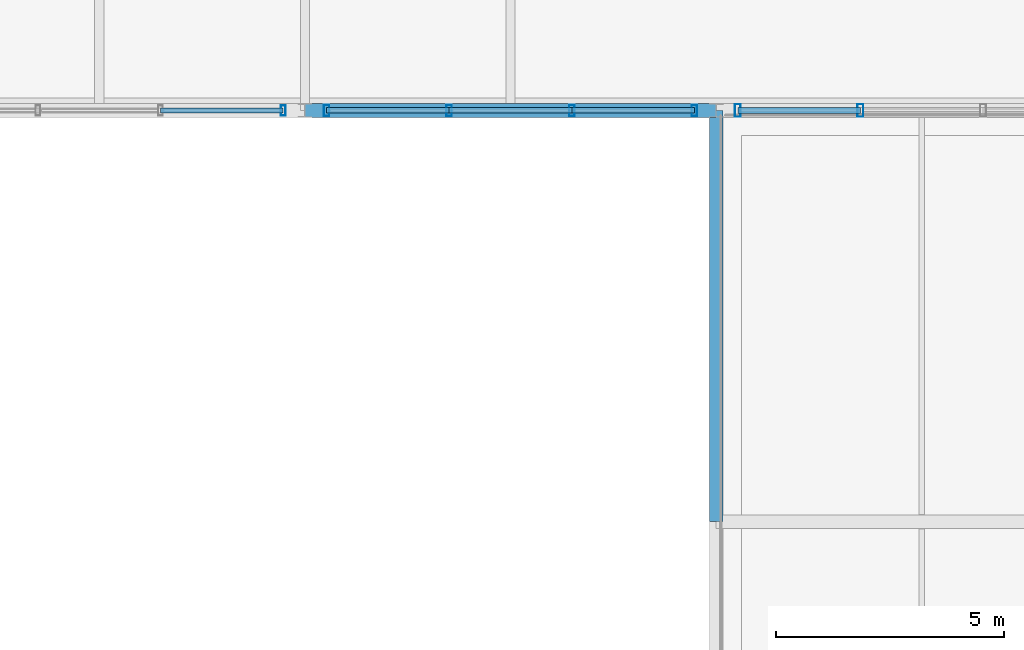
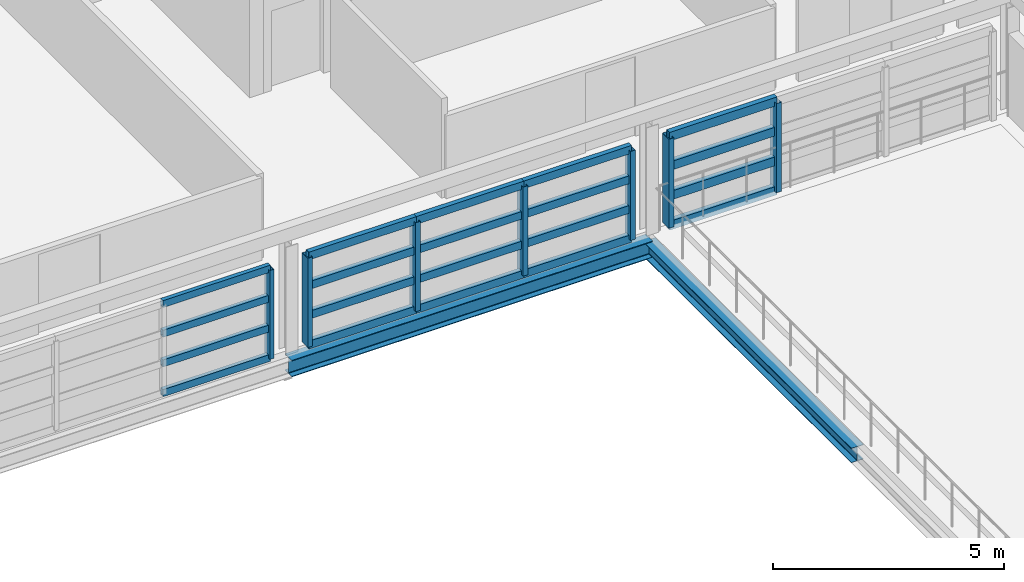
# One storey, part 7 of 27: 27 members, 2 beams, 3 elements without a shape of their own.
"""IFC4 building model written with IfcOpenShell, lengths in metres."""

import ifcopenshell
import ifcopenshell.guid

model = None  # the IFC model being written
_history = None  # IfcOwnerHistory: only IFC2X3 demands one
_inside = {}  # id of a spatial element -> (the spatial element, [elements in it])
_under = {}  # id of a project, library or spatial element -> (it, [spatial elements below it])
_declared = {}  # id of a project -> (the project, [libraries it declares])
_typed = {}  # id of a type object -> (the type object, [elements of that type])
_made_of = {}  # id of a material, layer set ... -> (it, [elements and type objects made of it])


def new_model(schema):
    """Start an empty IFC model of exactly this schema.

    Asked for "IFC4X3", IfcOpenShell would pick the latest addendum, in which some entities
    have other attributes; the version numbers below select the first issue.
    IFC2X3 requires an IfcOwnerHistory on every rooted entity: one is made here for all.
    """
    global model, _history
    if schema == "IFC4X3":
        model = ifcopenshell.file(schema_version=(4, 3, 0, 0))
    else:
        model = ifcopenshell.file(schema=schema)
    _inside.clear()
    _under.clear()
    _declared.clear()
    _typed.clear()
    _made_of.clear()
    _history = None
    if model.schema == "IFC2X3":
        org = make("IfcOrganization", Name="unknown")
        user = make(
            "IfcPersonAndOrganization",
            ThePerson=make("IfcPerson", FamilyName="unknown"),
            TheOrganization=org,
        )
        app = make(
            "IfcApplication",
            ApplicationDeveloper=org,
            Version="unknown",
            ApplicationFullName="unknown",
            ApplicationIdentifier="unknown",
        )
        _history = make(
            "IfcOwnerHistory",
            OwningUser=user,
            OwningApplication=app,
            ChangeAction="ADDED",
            CreationDate=0,
        )
    return model


def make(cls, **values):
    """One entity of the class cls with the attributes given. An attribute that is None is left unset."""
    return model.create_entity(
        cls, **{name: value for name, value in values.items() if value is not None}
    )


def rooted(cls, **values):
    """An entity with a GlobalId (a new one), such as an element, a storey or a relation."""
    return make(cls, GlobalId=ifcopenshell.guid.new(), OwnerHistory=_history, **values)


def si_unit(unit_type, name, prefix=None):
    """IfcSIUnit, for example si_unit("LENGTHUNIT", "METRE", prefix="MILLI")."""
    return make("IfcSIUnit", UnitType=unit_type, Prefix=prefix, Name=name)


def assignment(units):
    """IfcUnitAssignment: the units of a project."""
    return None if units is None else make("IfcUnitAssignment", Units=units)


def point(xyz):
    """IfcCartesianPoint."""
    return None if xyz is None else make("IfcCartesianPoint", Coordinates=xyz)


def direction(xyz):
    """IfcDirection."""
    return None if xyz is None else make("IfcDirection", DirectionRatios=xyz)


def frame(location, z_axis=None, x_axis=None):
    """IfcAxis2Placement3D, a coordinate frame: its origin and axes. An axis left out is left unset."""
    return make(
        "IfcAxis2Placement3D",
        Location=point(location),
        Axis=direction(z_axis),
        RefDirection=direction(x_axis),
    )


def frame_2d(location, x_axis=None):
    """IfcAxis2Placement2D, a coordinate frame in the plane: its origin and x axis."""
    return make(
        "IfcAxis2Placement2D", Location=point(location), RefDirection=direction(x_axis)
    )


def origin():
    """The frame at (0, 0, 0) with its axes left unset."""
    return frame((0.0, 0.0, 0.0))


def origin_2d():
    """The frame at (0, 0) in the plane with its x axis left unset."""
    return frame_2d((0.0, 0.0))


def place(relative_to, where):
    """IfcLocalPlacement: puts the frame where relative to a parent placement (None: the world)."""
    return make(
        "IfcLocalPlacement", PlacementRelTo=relative_to, RelativePlacement=where
    )


def context(
    kind, dimensions, precision=None, world=None, true_north=None, identifier=None
):
    """IfcGeometricRepresentationContext, for example the 3D "Model" context."""
    return make(
        "IfcGeometricRepresentationContext",
        ContextIdentifier=identifier,
        ContextType=kind,
        CoordinateSpaceDimension=dimensions,
        Precision=precision,
        WorldCoordinateSystem=world,
        TrueNorth=true_north,
    )


def subcontext(parent, identifier, kind, view, scale=None):
    """IfcGeometricRepresentationSubContext, for example "Body" below "Model"."""
    return make(
        "IfcGeometricRepresentationSubContext",
        ContextIdentifier=identifier,
        ContextType=kind,
        ParentContext=parent,
        TargetScale=scale,
        TargetView=view,
    )


def project(units=None, contexts=None):
    """IfcProject with its units and contexts."""
    return rooted(
        "IfcProject",
        Name="project",
        RepresentationContexts=contexts,
        UnitsInContext=assignment(units),
    )


def spatial(cls, under=None, at=None, **own):
    """A site, building, storey or space (cls), placed at a placement, below another one or the project."""
    s = rooted(cls, ObjectPlacement=at, **own)
    if under is not None:
        _under.setdefault(under.id(), (under, []))[1].append(s)
    return s


def profile(cls, at=None, kind="AREA", **sizes):
    """A parametric profile (cls). Its sizes go by their IFC names, for example OverallWidth=200.0."""
    return make(cls, ProfileType=kind, Position=at, **sizes)


def hollow_rectangle(**sizes):
    """IfcRectangleHollowProfileDef."""
    return profile("IfcRectangleHollowProfileDef", **sizes)


def i_section(**sizes):
    """IfcIShapeProfileDef."""
    return profile("IfcIShapeProfileDef", **sizes)


def extrude(swept, where, along, depth):
    """IfcExtrudedAreaSolid: the profile swept, set in the frame where, extruded along a direction by depth."""
    return make(
        "IfcExtrudedAreaSolid",
        SweptArea=swept,
        Position=where,
        ExtrudedDirection=direction(along),
        Depth=depth,
    )


def shape(context_of_items, identifier, shape_type, items):
    """IfcShapeRepresentation: the items that make up one representation, for example the "Body"."""
    return make(
        "IfcShapeRepresentation",
        ContextOfItems=context_of_items,
        RepresentationIdentifier=identifier,
        RepresentationType=shape_type,
        Items=items,
    )


def material(Name=None, Category=None):
    """IfcMaterial."""
    return make("IfcMaterial", Name=Name, Category=Category)


def material_profile(
    of_material, cross_section, Name=None, Category=None, Priority=None
):
    """IfcMaterialProfile: a cross section and its material."""
    return make(
        "IfcMaterialProfile",
        Name=Name,
        Material=of_material,
        Profile=cross_section,
        Priority=Priority,
        Category=Category,
    )


def profile_set(profiles, Name=None, composite=None):
    """IfcMaterialProfileSet."""
    return make(
        "IfcMaterialProfileSet",
        Name=Name,
        MaterialProfiles=profiles,
        CompositeProfile=composite,
    )


def made_of(thing, what):
    """Note that an element or type object is made of a material, layer set ...; save() writes the relation."""
    if what is not None:
        _made_of.setdefault(what.id(), (what, []))[1].append(thing)
    return thing


def type_object(cls, material=None, **own):
    """A type object (cls), such as IfcWallType, which elements share."""
    return made_of(rooted(cls, **own), material)


def element(
    cls,
    number,
    at=None,
    inside=None,
    cuts=None,
    type_object=None,
    material=None,
    context=None,
    identifier="Body",
    shape_type=None,
    held_by="IfcProductDefinitionShape",
    body=None,
    shapes=None,
    **own,
):
    """One element of the class cls, such as IfcWall. Its Tag is "e" and its number.

    at: its placement. inside: the storey or other place that contains it. cuts: it is an
    opening in that element (IfcRelVoidsElement). A single representation is given by context,
    identifier, shape_type and body (its items); several are given by shapes. held_by: the class
    of the entity that holds the representations. save() writes the other relations.
    """
    e = rooted(cls, Tag="e%d" % number, ObjectPlacement=at, **own)
    if body is not None:
        shapes = [shape(context, identifier, shape_type, body)]
    if shapes is not None:
        e.Representation = make(held_by, Representations=shapes)
    if inside is not None:
        _inside.setdefault(inside.id(), (inside, []))[1].append(e)
    if cuts is not None:
        rooted(
            "IfcRelVoidsElement", RelatingBuildingElement=cuts, RelatedOpeningElement=e
        )
    if type_object is not None:
        _typed.setdefault(type_object.id(), (type_object, []))[1].append(e)
    return made_of(e, material)


def aggregate(whole, parts):
    """IfcRelAggregates: a whole, such as a stair, and the parts it consists of."""
    return rooted("IfcRelAggregates", RelatingObject=whole, RelatedObjects=parts)


def save(model, path):
    """Write the relations noted so far, then the file.

    IfcRelAggregates (storeys below a building ...), IfcRelContainedInSpatialStructure (elements
    in a storey), IfcRelDefinesByType, IfcRelAssociatesMaterial and IfcRelDeclares: one each for
    every whole, place, type object, material and project.
    """
    for whole, parts in _under.values():
        aggregate(whole, parts)
    for where, things in _inside.values():
        rooted(
            "IfcRelContainedInSpatialStructure",
            RelatedElements=things,
            RelatingStructure=where,
        )
    for kind, things in _typed.values():
        rooted("IfcRelDefinesByType", RelatedObjects=things, RelatingType=kind)
    for what, things in _made_of.values():
        rooted("IfcRelAssociatesMaterial", RelatedObjects=things, RelatingMaterial=what)
    for by, libraries in _declared.values():
        rooted("IfcRelDeclares", RelatingContext=by, RelatedDefinitions=libraries)
    model.write(path)


model = new_model("IFC4")

# Units and contexts
model_context = context("Model", 3, precision=1e-05, world=origin(), true_north=direction((0.0, 1.0)))
body_context = subcontext(model_context, "Body", "Model", "MODEL_VIEW")
ifc_project = project(units=[si_unit("LENGTHUNIT", "METRE"), si_unit("AREAUNIT", "SQUARE_METRE"), si_unit("VOLUMEUNIT", "CUBIC_METRE"), si_unit("PLANEANGLEUNIT", "RADIAN"), si_unit("MASSUNIT", "GRAM", prefix="KILO")], contexts=[model_context])

# Site, building, storey
site_placement = place(None, origin())
site = spatial("IfcSite", under=ifc_project, at=site_placement, CompositionType="ELEMENT")
building_placement = place(site_placement, origin())
building = spatial("IfcBuilding", under=site, at=building_placement, Name="Chuanluo Vaults Station", CompositionType="ELEMENT")
storey_placement = place(building_placement, frame((0.0, 0.0, 20.800048828125)))
storey = spatial("IfcBuildingStorey", under=building, at=storey_placement, Name="L05", CompositionType="ELEMENT", Elevation=20.800048828125)

# Beams
ifc_material_1 = material(Name="Steel Q355C", Category="steel")
ifc_material_profile_1 = material_profile(ifc_material_1, i_section(OverallWidth=0.300048828125, OverallDepth=0.389892578125, WebThickness=0.010009765625, FlangeThickness=0.01611328125, FilletRadius=0.02001953125, at=origin_2d()))
ifc_profile_set_1 = profile_set([ifc_material_profile_1], Name="Steel Q355C")
beam_type_1 = type_object("IfcBeamType", Name="BM-GRD-400", PredefinedType="BEAM", material=ifc_profile_set_1)
beam_1_placement = place(storey_placement, frame((154.0, 94.5, -0.425048828125), z_axis=(0.0, 1.0, 0.0), x_axis=(-1.0, 0.0, 0.0)))
element("IfcBeam", 1, at=beam_1_placement, inside=storey, type_object=beam_type_1, Name="Floor girder BM:GY:L05:0993", PredefinedType="BEAM", context=body_context, shape_type="SweptSolid", body=[
    extrude(i_section(OverallWidth=0.300048828125, OverallDepth=0.389892578125, WebThickness=0.010009765625, FlangeThickness=0.01611328125, FilletRadius=0.02001953125, at=origin_2d()), origin(), (0.0, 0.0, 1.0), 9.0),
])
ifc_material_2 = material(Name="Steel Q355C", Category="steel")
ifc_material_profile_2 = material_profile(ifc_material_2, i_section(OverallWidth=0.300048828125, OverallDepth=0.43994140625, WebThickness=0.010986328125, FlangeThickness=0.01806640625, FilletRadius=0.02001953125, at=origin_2d()))
ifc_profile_set_2 = profile_set([ifc_material_profile_2], Name="Steel Q355C")
beam_type_2 = type_object("IfcBeamType", Name="BM-GRD-450", PredefinedType="USERDEFINED", material=ifc_profile_set_2)
beam_2_placement = place(storey_placement, frame((145.0, 103.5, -0.400146484375), z_axis=(1.0, 0.0, 0.0), x_axis=(0.0, 1.0, 0.0)))
element("IfcBeam", 2, at=beam_2_placement, inside=storey, type_object=beam_type_2, Name="Floor girder BM:GX:L05:0967", ObjectType="GIRDER", PredefinedType="USERDEFINED", context=body_context, shape_type="SweptSolid", body=[
    extrude(i_section(OverallWidth=0.300048828125, OverallDepth=0.43994140625, WebThickness=0.010986328125, FlangeThickness=0.01806640625, FilletRadius=0.02001953125, at=origin_2d()), origin(), (0.0, 0.0, 1.0), 9.0),
])

# Curtain wall, member
ifc_material_3 = material(Name="Anodised aluminium 6063-T6", Category="aluminium")
curtain_wall_type_1 = type_object("IfcCurtainWallType", Name="CW-SYS-24", PredefinedType="NOTDEFINED", material=ifc_material_3)
curtain_wall_1_placement = place(storey_placement, origin())
curtain_wall_1 = element("IfcCurtainWall", 3, at=curtain_wall_1_placement, inside=storey, type_object=curtain_wall_type_1, Name="Operations L05 facade CW", PredefinedType="NOTDEFINED")
ifc_material_4 = material(Name="Anodised aluminium 6063-T6", Category="aluminium")
ifc_material_profile_3 = material_profile(ifc_material_4, hollow_rectangle(XDim=0.10498046875, YDim=0.219970703125, WallThickness=0.006103515625, at=origin_2d()))
ifc_profile_set_3 = profile_set([ifc_material_profile_3], Name="Anodised aluminium 6063-T6")
member_type_1 = type_object("IfcMemberType", Name="CWM-140", PredefinedType="MULLION", material=ifc_profile_set_3)
member_1_placement = place(storey_placement, frame((144.52490234375, 103.5, 0.0), z_axis=(0.0, 0.0, 1.0), x_axis=(-1.0, 0.0, 0.0)))
member_1 = element("IfcMember", 4, at=member_1_placement, type_object=member_type_1, Name="Operations L05 facade CW mullion 1", PredefinedType="MULLION", context=body_context, shape_type="SweptSolid", body=[
    extrude(hollow_rectangle(XDim=0.10498046875, YDim=0.219970703125, WallThickness=0.006103515625, at=origin_2d()), origin(), (0.0, 0.0, 1.0), 2.349853515625),
])

# Curtain wall, members
ifc_material_5 = material(Name="Anodised aluminium 6063-T6", Category="aluminium")
curtain_wall_type_2 = type_object("IfcCurtainWallType", Name="CW-SYS-23", PredefinedType="NOTDEFINED", material=ifc_material_5)
curtain_wall_2_placement = place(storey_placement, origin())
curtain_wall_2 = element("IfcCurtainWall", 5, at=curtain_wall_2_placement, inside=storey, type_object=curtain_wall_type_2, Name="Operations L05 facade CW", PredefinedType="NOTDEFINED")
ifc_material_6 = material(Name="Anodised aluminium 6063-T6", Category="aluminium")
ifc_material_profile_4 = material_profile(ifc_material_6, hollow_rectangle(XDim=0.1201171875, YDim=0.25, WallThickness=0.006103515625, at=origin_2d()))
ifc_profile_set_4 = profile_set([ifc_material_profile_4], Name="Anodised aluminium 6063-T6")
member_type_2 = type_object("IfcMemberType", Name="CWM-160", PredefinedType="MULLION", material=ifc_profile_set_4)
member_2_placement = place(storey_placement, frame((153.52490234375, 103.5, 0.0), z_axis=(0.0, 0.0, 1.0), x_axis=(-1.0, 0.0, 0.0)))
member_2 = element("IfcMember", 6, at=member_2_placement, type_object=member_type_2, Name="Operations L05 facade CW mullion 1", PredefinedType="MULLION", context=body_context, shape_type="SweptSolid", body=[
    extrude(hollow_rectangle(XDim=0.1201171875, YDim=0.25, WallThickness=0.006103515625, at=origin_2d()), origin(), (0.0, 0.0, 1.0), 2.349853515625),
])
member_3_placement = place(storey_placement, frame((150.841796875, 103.5, 0.0), z_axis=(0.0, 0.0, 1.0), x_axis=(-1.0, 0.0, 0.0)))
member_3 = element("IfcMember", 7, at=member_3_placement, type_object=member_type_2, Name="Operations L05 facade CW mullion 2", PredefinedType="MULLION", context=body_context, shape_type="SweptSolid", body=[
    extrude(hollow_rectangle(XDim=0.1201171875, YDim=0.25, WallThickness=0.006103515625, at=origin_2d()), origin(), (0.0, 0.0, 1.0), 2.349853515625),
])
member_4_placement = place(storey_placement, frame((148.158203125, 103.5, 0.0), z_axis=(0.0, 0.0, 1.0), x_axis=(-1.0, 0.0, 0.0)))
member_4 = element("IfcMember", 8, at=member_4_placement, type_object=member_type_2, Name="Operations L05 facade CW mullion 3", PredefinedType="MULLION", context=body_context, shape_type="SweptSolid", body=[
    extrude(hollow_rectangle(XDim=0.1201171875, YDim=0.25, WallThickness=0.006103515625, at=origin_2d()), origin(), (0.0, 0.0, 1.0), 2.349853515625),
])
member_5_placement = place(storey_placement, frame((145.47509765625, 103.5, 0.0), z_axis=(0.0, 0.0, 1.0), x_axis=(-1.0, 0.0, 0.0)))
member_5 = element("IfcMember", 9, at=member_5_placement, type_object=member_type_2, Name="Operations L05 facade CW mullion 4", PredefinedType="MULLION", context=body_context, shape_type="SweptSolid", body=[
    extrude(hollow_rectangle(XDim=0.1201171875, YDim=0.25, WallThickness=0.006103515625, at=origin_2d()), origin(), (0.0, 0.0, 1.0), 2.349853515625),
])

ifc_material_7 = material(Name="Anodised aluminium 6063-T6", Category="aluminium")
curtain_wall_type_3 = type_object("IfcCurtainWallType", Name="CW-SYS-22", PredefinedType="NOTDEFINED", material=ifc_material_7)
curtain_wall_3_placement = place(storey_placement, origin())
curtain_wall_3 = element("IfcCurtainWall", 10, at=curtain_wall_3_placement, inside=storey, type_object=curtain_wall_type_3, Name="Operations L05 facade CW", PredefinedType="NOTDEFINED")
ifc_material_8 = material(Name="Anodised aluminium 6063-T6", Category="aluminium")
ifc_material_profile_5 = material_profile(ifc_material_8, hollow_rectangle(XDim=0.1298828125, YDim=0.280029296875, WallThickness=0.007080078125, at=origin_2d()))
ifc_profile_set_5 = profile_set([ifc_material_profile_5], Name="Anodised aluminium 6063-T6")
member_type_3 = type_object("IfcMemberType", Name="CWM-180", PredefinedType="MULLION", material=ifc_profile_set_5)
member_6_placement = place(storey_placement, frame((157.158203125, 103.5, 0.0), z_axis=(0.0, 0.0, 1.0), x_axis=(-1.0, 0.0, 0.0)))
member_6 = element("IfcMember", 11, at=member_6_placement, type_object=member_type_3, Name="Operations L05 facade CW mullion 3", PredefinedType="MULLION", context=body_context, shape_type="SweptSolid", body=[
    extrude(hollow_rectangle(XDim=0.1298828125, YDim=0.280029296875, WallThickness=0.007080078125, at=origin_2d()), origin(), (0.0, 0.0, 1.0), 2.349853515625),
])
member_7_placement = place(storey_placement, frame((154.47509765625, 103.5, 0.0), z_axis=(0.0, 0.0, 1.0), x_axis=(-1.0, 0.0, 0.0)))
member_7 = element("IfcMember", 12, at=member_7_placement, type_object=member_type_3, Name="Operations L05 facade CW mullion 4", PredefinedType="MULLION", context=body_context, shape_type="SweptSolid", body=[
    extrude(hollow_rectangle(XDim=0.1298828125, YDim=0.280029296875, WallThickness=0.007080078125, at=origin_2d()), origin(), (0.0, 0.0, 1.0), 2.349853515625),
])

# Member
ifc_material_9 = material(Name="Anodised aluminium 6063-T6", Category="aluminium")
ifc_material_profile_6 = material_profile(ifc_material_9, hollow_rectangle(XDim=0.10498046875, YDim=0.18505859375, WallThickness=0.0048828125, at=origin_2d()))
ifc_profile_set_6 = profile_set([ifc_material_profile_6], Name="Anodised aluminium 6063-T6")
member_type_4 = type_object("IfcMemberType", Name="CWT-110", PredefinedType="USERDEFINED", material=ifc_profile_set_6)
member_8_placement = place(storey_placement, frame((144.52490234375, 103.5, 0.0), z_axis=(-1.0, 0.0, 0.0), x_axis=(0.0, -1.0, 0.0)))
member_8 = element("IfcMember", 13, at=member_8_placement, type_object=member_type_4, Name="Operations L05 facade CW transom 1.1", ObjectType="TRANSOM", PredefinedType="USERDEFINED", context=body_context, shape_type="SweptSolid", body=[
    extrude(hollow_rectangle(XDim=0.10498046875, YDim=0.18505859375, WallThickness=0.0048828125, at=origin_2d()), origin(), (0.0, 0.0, 1.0), 2.68310546875),
])

member_9_placement = place(storey_placement, frame((144.52490234375, 103.5, 0.783203125), z_axis=(-1.0, 0.0, 0.0), x_axis=(0.0, -1.0, 0.0)))
member_9 = element("IfcMember", 14, at=member_9_placement, type_object=member_type_4, Name="Operations L05 facade CW transom 1.2", ObjectType="TRANSOM", PredefinedType="USERDEFINED", context=body_context, shape_type="SweptSolid", body=[
    extrude(hollow_rectangle(XDim=0.10498046875, YDim=0.18505859375, WallThickness=0.0048828125, at=origin_2d()), origin(), (0.0, 0.0, 1.0), 2.68310546875),
])

member_10_placement = place(storey_placement, frame((144.52490234375, 103.5, 1.566650390625), z_axis=(-1.0, 0.0, 0.0), x_axis=(0.0, -1.0, 0.0)))
member_10 = element("IfcMember", 15, at=member_10_placement, type_object=member_type_4, Name="Operations L05 facade CW transom 1.3", ObjectType="TRANSOM", PredefinedType="USERDEFINED", context=body_context, shape_type="SweptSolid", body=[
    extrude(hollow_rectangle(XDim=0.10498046875, YDim=0.18505859375, WallThickness=0.0048828125, at=origin_2d()), origin(), (0.0, 0.0, 1.0), 2.68310546875),
])

member_11_placement = place(storey_placement, frame((144.52490234375, 103.5, 2.349853515625), z_axis=(-1.0, 0.0, 0.0), x_axis=(0.0, -1.0, 0.0)))
member_11 = element("IfcMember", 16, at=member_11_placement, type_object=member_type_4, Name="Operations L05 facade CW transom 1.4", ObjectType="TRANSOM", PredefinedType="USERDEFINED", context=body_context, shape_type="SweptSolid", body=[
    extrude(hollow_rectangle(XDim=0.10498046875, YDim=0.18505859375, WallThickness=0.0048828125, at=origin_2d()), origin(), (0.0, 0.0, 1.0), 2.68310546875),
])

aggregate(curtain_wall_1, [member_1, member_8, member_9, member_10, member_11])

ifc_material_10 = material(Name="Anodised aluminium 6063-T6", Category="aluminium")
ifc_material_profile_7 = material_profile(ifc_material_10, hollow_rectangle(XDim=0.1201171875, YDim=0.205078125, WallThickness=0.006103515625, at=origin_2d()))
ifc_profile_set_7 = profile_set([ifc_material_profile_7], Name="Anodised aluminium 6063-T6")
member_type_5 = type_object("IfcMemberType", Name="CWT-130", PredefinedType="USERDEFINED", material=ifc_profile_set_7)
member_12_placement = place(storey_placement, frame((153.52490234375, 103.5, 0.0), z_axis=(-1.0, 0.0, 0.0), x_axis=(0.0, -1.0, 0.0)))
member_12 = element("IfcMember", 17, at=member_12_placement, type_object=member_type_5, Name="Operations L05 facade CW transom 1.1", ObjectType="TRANSOM", PredefinedType="USERDEFINED", context=body_context, shape_type="SweptSolid", body=[
    extrude(hollow_rectangle(XDim=0.1201171875, YDim=0.205078125, WallThickness=0.006103515625, at=origin_2d()), origin(), (0.0, 0.0, 1.0), 2.68310546875),
])

member_13_placement = place(storey_placement, frame((153.52490234375, 103.5, 0.783203125), z_axis=(-1.0, 0.0, 0.0), x_axis=(0.0, -1.0, 0.0)))
member_13 = element("IfcMember", 18, at=member_13_placement, type_object=member_type_5, Name="Operations L05 facade CW transom 1.2", ObjectType="TRANSOM", PredefinedType="USERDEFINED", context=body_context, shape_type="SweptSolid", body=[
    extrude(hollow_rectangle(XDim=0.1201171875, YDim=0.205078125, WallThickness=0.006103515625, at=origin_2d()), origin(), (0.0, 0.0, 1.0), 2.68310546875),
])

member_14_placement = place(storey_placement, frame((153.52490234375, 103.5, 1.566650390625), z_axis=(-1.0, 0.0, 0.0), x_axis=(0.0, -1.0, 0.0)))
member_14 = element("IfcMember", 19, at=member_14_placement, type_object=member_type_5, Name="Operations L05 facade CW transom 1.3", ObjectType="TRANSOM", PredefinedType="USERDEFINED", context=body_context, shape_type="SweptSolid", body=[
    extrude(hollow_rectangle(XDim=0.1201171875, YDim=0.205078125, WallThickness=0.006103515625, at=origin_2d()), origin(), (0.0, 0.0, 1.0), 2.68310546875),
])

member_15_placement = place(storey_placement, frame((153.52490234375, 103.5, 2.349853515625), z_axis=(-1.0, 0.0, 0.0), x_axis=(0.0, -1.0, 0.0)))
member_15 = element("IfcMember", 20, at=member_15_placement, type_object=member_type_5, Name="Operations L05 facade CW transom 1.4", ObjectType="TRANSOM", PredefinedType="USERDEFINED", context=body_context, shape_type="SweptSolid", body=[
    extrude(hollow_rectangle(XDim=0.1201171875, YDim=0.205078125, WallThickness=0.006103515625, at=origin_2d()), origin(), (0.0, 0.0, 1.0), 2.68310546875),
])

member_16_placement = place(storey_placement, frame((150.841796875, 103.5, 0.0), z_axis=(-1.0, 0.0, 0.0), x_axis=(0.0, -1.0, 0.0)))
member_16 = element("IfcMember", 21, at=member_16_placement, type_object=member_type_5, Name="Operations L05 facade CW transom 2.1", ObjectType="TRANSOM", PredefinedType="USERDEFINED", context=body_context, shape_type="SweptSolid", body=[
    extrude(hollow_rectangle(XDim=0.1201171875, YDim=0.205078125, WallThickness=0.006103515625, at=origin_2d()), origin(), (0.0, 0.0, 1.0), 2.68359375),
])

member_17_placement = place(storey_placement, frame((150.841796875, 103.5, 0.783203125), z_axis=(-1.0, 0.0, 0.0), x_axis=(0.0, -1.0, 0.0)))
member_17 = element("IfcMember", 22, at=member_17_placement, type_object=member_type_5, Name="Operations L05 facade CW transom 2.2", ObjectType="TRANSOM", PredefinedType="USERDEFINED", context=body_context, shape_type="SweptSolid", body=[
    extrude(hollow_rectangle(XDim=0.1201171875, YDim=0.205078125, WallThickness=0.006103515625, at=origin_2d()), origin(), (0.0, 0.0, 1.0), 2.68359375),
])

member_18_placement = place(storey_placement, frame((150.841796875, 103.5, 1.566650390625), z_axis=(-1.0, 0.0, 0.0), x_axis=(0.0, -1.0, 0.0)))
member_18 = element("IfcMember", 23, at=member_18_placement, type_object=member_type_5, Name="Operations L05 facade CW transom 2.3", ObjectType="TRANSOM", PredefinedType="USERDEFINED", context=body_context, shape_type="SweptSolid", body=[
    extrude(hollow_rectangle(XDim=0.1201171875, YDim=0.205078125, WallThickness=0.006103515625, at=origin_2d()), origin(), (0.0, 0.0, 1.0), 2.68359375),
])

member_19_placement = place(storey_placement, frame((150.841796875, 103.5, 2.349853515625), z_axis=(-1.0, 0.0, 0.0), x_axis=(0.0, -1.0, 0.0)))
member_19 = element("IfcMember", 24, at=member_19_placement, type_object=member_type_5, Name="Operations L05 facade CW transom 2.4", ObjectType="TRANSOM", PredefinedType="USERDEFINED", context=body_context, shape_type="SweptSolid", body=[
    extrude(hollow_rectangle(XDim=0.1201171875, YDim=0.205078125, WallThickness=0.006103515625, at=origin_2d()), origin(), (0.0, 0.0, 1.0), 2.68359375),
])

member_20_placement = place(storey_placement, frame((148.158203125, 103.5, 0.0), z_axis=(-1.0, 0.0, 0.0), x_axis=(0.0, -1.0, 0.0)))
member_20 = element("IfcMember", 25, at=member_20_placement, type_object=member_type_5, Name="Operations L05 facade CW transom 3.1", ObjectType="TRANSOM", PredefinedType="USERDEFINED", context=body_context, shape_type="SweptSolid", body=[
    extrude(hollow_rectangle(XDim=0.1201171875, YDim=0.205078125, WallThickness=0.006103515625, at=origin_2d()), origin(), (0.0, 0.0, 1.0), 2.68310546875),
])

member_21_placement = place(storey_placement, frame((148.158203125, 103.5, 0.783203125), z_axis=(-1.0, 0.0, 0.0), x_axis=(0.0, -1.0, 0.0)))
member_21 = element("IfcMember", 26, at=member_21_placement, type_object=member_type_5, Name="Operations L05 facade CW transom 3.2", ObjectType="TRANSOM", PredefinedType="USERDEFINED", context=body_context, shape_type="SweptSolid", body=[
    extrude(hollow_rectangle(XDim=0.1201171875, YDim=0.205078125, WallThickness=0.006103515625, at=origin_2d()), origin(), (0.0, 0.0, 1.0), 2.68310546875),
])

member_22_placement = place(storey_placement, frame((148.158203125, 103.5, 1.566650390625), z_axis=(-1.0, 0.0, 0.0), x_axis=(0.0, -1.0, 0.0)))
member_22 = element("IfcMember", 27, at=member_22_placement, type_object=member_type_5, Name="Operations L05 facade CW transom 3.3", ObjectType="TRANSOM", PredefinedType="USERDEFINED", context=body_context, shape_type="SweptSolid", body=[
    extrude(hollow_rectangle(XDim=0.1201171875, YDim=0.205078125, WallThickness=0.006103515625, at=origin_2d()), origin(), (0.0, 0.0, 1.0), 2.68310546875),
])

member_23_placement = place(storey_placement, frame((148.158203125, 103.5, 2.349853515625), z_axis=(-1.0, 0.0, 0.0), x_axis=(0.0, -1.0, 0.0)))
member_23 = element("IfcMember", 28, at=member_23_placement, type_object=member_type_5, Name="Operations L05 facade CW transom 3.4", ObjectType="TRANSOM", PredefinedType="USERDEFINED", context=body_context, shape_type="SweptSolid", body=[
    extrude(hollow_rectangle(XDim=0.1201171875, YDim=0.205078125, WallThickness=0.006103515625, at=origin_2d()), origin(), (0.0, 0.0, 1.0), 2.68310546875),
])

aggregate(curtain_wall_2, [member_2, member_3, member_4, member_5, member_12, member_13, member_14, member_15, member_16, member_17, member_18, member_19, member_20, member_21, member_22, member_23])

ifc_material_11 = material(Name="Anodised aluminium 6063-T6", Category="aluminium")
ifc_material_profile_8 = material_profile(ifc_material_11, hollow_rectangle(XDim=0.1298828125, YDim=0.22998046875, WallThickness=0.006103515625, at=origin_2d()))
ifc_profile_set_8 = profile_set([ifc_material_profile_8], Name="Anodised aluminium 6063-T6")
member_type_6 = type_object("IfcMemberType", Name="CWT-150", PredefinedType="USERDEFINED", material=ifc_profile_set_8)
member_24_placement = place(storey_placement, frame((157.158203125, 103.5, 0.0), z_axis=(-1.0, 0.0, 0.0), x_axis=(0.0, -1.0, 0.0)))
member_24 = element("IfcMember", 29, at=member_24_placement, type_object=member_type_6, Name="Operations L05 facade CW transom 3.1", ObjectType="TRANSOM", PredefinedType="USERDEFINED", context=body_context, shape_type="SweptSolid", body=[
    extrude(hollow_rectangle(XDim=0.1298828125, YDim=0.22998046875, WallThickness=0.006103515625, at=origin_2d()), origin(), (0.0, 0.0, 1.0), 2.68310546875),
])

member_25_placement = place(storey_placement, frame((157.158203125, 103.5, 0.783203125), z_axis=(-1.0, 0.0, 0.0), x_axis=(0.0, -1.0, 0.0)))
member_25 = element("IfcMember", 30, at=member_25_placement, type_object=member_type_6, Name="Operations L05 facade CW transom 3.2", ObjectType="TRANSOM", PredefinedType="USERDEFINED", context=body_context, shape_type="SweptSolid", body=[
    extrude(hollow_rectangle(XDim=0.1298828125, YDim=0.22998046875, WallThickness=0.006103515625, at=origin_2d()), origin(), (0.0, 0.0, 1.0), 2.68310546875),
])

member_26_placement = place(storey_placement, frame((157.158203125, 103.5, 1.566650390625), z_axis=(-1.0, 0.0, 0.0), x_axis=(0.0, -1.0, 0.0)))
member_26 = element("IfcMember", 31, at=member_26_placement, type_object=member_type_6, Name="Operations L05 facade CW transom 3.3", ObjectType="TRANSOM", PredefinedType="USERDEFINED", context=body_context, shape_type="SweptSolid", body=[
    extrude(hollow_rectangle(XDim=0.1298828125, YDim=0.22998046875, WallThickness=0.006103515625, at=origin_2d()), origin(), (0.0, 0.0, 1.0), 2.68310546875),
])

member_27_placement = place(storey_placement, frame((157.158203125, 103.5, 2.349853515625), z_axis=(-1.0, 0.0, 0.0), x_axis=(0.0, -1.0, 0.0)))
member_27 = element("IfcMember", 32, at=member_27_placement, type_object=member_type_6, Name="Operations L05 facade CW transom 3.4", ObjectType="TRANSOM", PredefinedType="USERDEFINED", context=body_context, shape_type="SweptSolid", body=[
    extrude(hollow_rectangle(XDim=0.1298828125, YDim=0.22998046875, WallThickness=0.006103515625, at=origin_2d()), origin(), (0.0, 0.0, 1.0), 2.68310546875),
])

aggregate(curtain_wall_3, [member_6, member_7, member_24, member_25, member_26, member_27])

save(model, "model.ifc")
